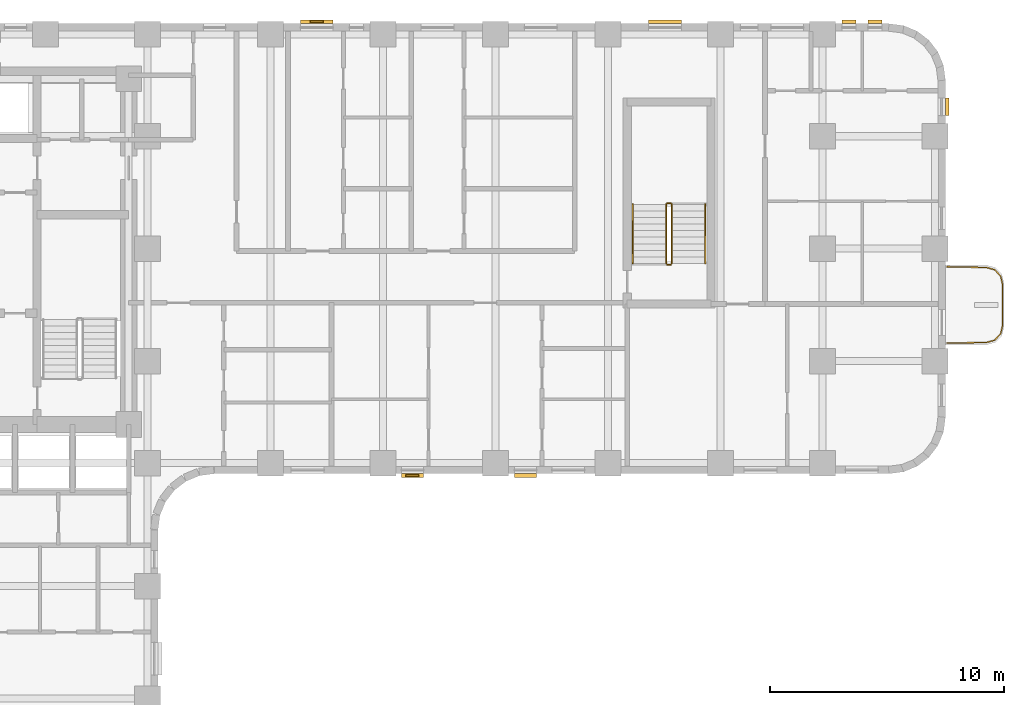
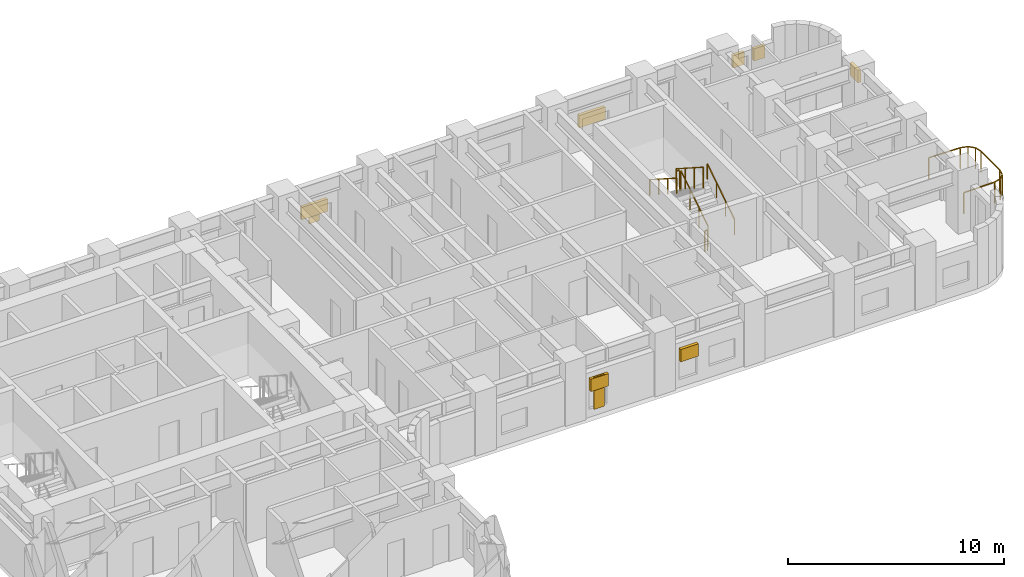
# One storey, part 10 of 10: 9 shading devices, 7 railings.
"""IFC4 building model written with IfcOpenShell, lengths in metres."""

from ifc_helpers import new_model, si_unit, direction, frame, origin, origin_2d, place, context, subcontext, project, spatial, rectangle, extrude, material, type_object, element, save


model = new_model("IFC4")

# Units and contexts
model_context = context("Model", 3, precision=1e-05, world=origin(), true_north=direction((0.0, 1.0)))
body_context = subcontext(model_context, "Body", "Model", "MODEL_VIEW")
ifc_project = project(units=[si_unit("LENGTHUNIT", "METRE"), si_unit("AREAUNIT", "SQUARE_METRE"), si_unit("VOLUMEUNIT", "CUBIC_METRE"), si_unit("PLANEANGLEUNIT", "RADIAN"), si_unit("MASSUNIT", "GRAM", prefix="KILO")], contexts=[model_context])

# Site, building, storey
site_placement = place(None, origin())
site = spatial("IfcSite", under=ifc_project, at=site_placement, CompositionType="ELEMENT")
building_placement = place(site_placement, origin())
building = spatial("IfcBuilding", under=site, at=building_placement, Name="Orvandelia Arch Residences", CompositionType="ELEMENT")
storey_placement = place(building_placement, frame((0.0, 0.0, 32.199951171875)))
storey = spatial("IfcBuildingStorey", under=building, at=storey_placement, Name="L07", CompositionType="ELEMENT", Elevation=32.199951171875)

# Railings
ifc_material_1 = material(Name="Marine-Grade Stainless Steel 316", Category="steel")
railing_type_1 = type_object("IfcRailingType", Name="GRD-BAL-1200", PredefinedType="BALUSTRADE", material=ifc_material_1)
railing_1_placement = place(storey_placement, frame((57.671875, 34.36962890625, 0.0)))
element("IfcRailing", 1, at=railing_1_placement, inside=storey, type_object=railing_type_1, Name="Safety Balustrade Guard GRD-L07-BAL-L07-E1-1", PredefinedType="BALUSTRADE", context=body_context, shape_type="SweptSolid", body=[
    extrude(rectangle(XDim=0.048095703125, YDim=0.048095703125, at=origin_2d()), frame((0.0, 0.0, 1.19580078125), z_axis=(0.999837384468, 0.018033430643, 0.0), x_axis=(-0.018033430643, 0.999837384468, 0.0)), (0.0, 0.0, 1.0), 1.6787109375),
    extrude(rectangle(XDim=0.048095703125, YDim=0.048095703125, at=origin_2d()), frame((1.678466796875, 0.0302734375, 1.19580078125), z_axis=(0.963441293861, 0.267919527627, 0.0), x_axis=(-0.267919527627, 0.963441293861, 0.0)), (0.0, 0.0, 1.0), 0.365478515625),
    extrude(rectangle(XDim=0.048095703125, YDim=0.048095703125, at=origin_2d()), frame((2.030517578125, 0.128173828125, 1.19580078125), z_axis=(0.688296224633, 0.725429739642, 0.0), x_axis=(-0.725429739642, 0.688296224633, 0.0)), (0.0, 0.0, 1.0), 0.3681640625),
    extrude(rectangle(XDim=0.048095703125, YDim=0.048095703125, at=origin_2d()), frame((2.283935546875, 0.395263671875, 1.19580078125), z_axis=(0.221225034864, 0.975222786828, 0.0), x_axis=(-0.975222786828, 0.221225034864, 0.0)), (0.0, 0.0, 1.0), 0.373046875),
    extrude(rectangle(XDim=0.048095703125, YDim=0.048095703125, at=origin_2d()), frame((2.366455078125, 0.759033203125, 1.19580078125), z_axis=(0.0, 1.0, 0.0), x_axis=(-1.0, 0.0, 0.0)), (0.0, 0.0, 1.0), 1.74267578125),
    extrude(rectangle(XDim=0.048095703125, YDim=0.048095703125, at=origin_2d()), frame((2.366455078125, 2.501708984375, 1.19580078125), z_axis=(-0.221225034864, 0.975222786828, 0.0), x_axis=(-0.975222786828, -0.221225034864, 0.0)), (0.0, 0.0, 1.0), 0.373046875),
    extrude(rectangle(XDim=0.048095703125, YDim=0.048095703125, at=origin_2d()), frame((2.283935546875, 2.865478515625, 1.19580078125), z_axis=(-0.688296224633, 0.725429739642, 0.0), x_axis=(-0.725429739642, -0.688296224633, 0.0)), (0.0, 0.0, 1.0), 0.3681640625),
    extrude(rectangle(XDim=0.048095703125, YDim=0.048095703125, at=origin_2d()), frame((2.030517578125, 3.132568359375, 1.19580078125), z_axis=(-0.963441293861, 0.267919527627, 0.0), x_axis=(-0.267919527627, -0.963441293861, 0.0)), (0.0, 0.0, 1.0), 0.365478515625),
    extrude(rectangle(XDim=0.048095703125, YDim=0.048095703125, at=origin_2d()), frame((1.678466796875, 3.23046875, 1.19580078125), z_axis=(-0.999837384468, 0.018033430643, 0.0), x_axis=(-0.018033430643, -0.999837384468, 0.0)), (0.0, 0.0, 1.0), 1.6787109375),
    extrude(rectangle(XDim=0.0419921875, YDim=0.0419921875, at=origin_2d()), origin(), (0.0, 0.0, 1.0), 1.171875),
    extrude(rectangle(XDim=0.0419921875, YDim=0.0419921875, at=origin_2d()), frame((1.678466796875, 0.0302734375, 0.0)), (0.0, 0.0, 1.0), 1.171875),
    extrude(rectangle(XDim=0.0419921875, YDim=0.0419921875, at=origin_2d()), frame((2.030517578125, 0.128173828125, 0.0)), (0.0, 0.0, 1.0), 1.171875),
    extrude(rectangle(XDim=0.0419921875, YDim=0.0419921875, at=origin_2d()), frame((2.283935546875, 0.395263671875, 0.0)), (0.0, 0.0, 1.0), 1.171875),
    extrude(rectangle(XDim=0.0419921875, YDim=0.0419921875, at=origin_2d()), frame((2.366455078125, 0.759033203125, 0.0)), (0.0, 0.0, 1.0), 1.171875),
    extrude(rectangle(XDim=0.0419921875, YDim=0.0419921875, at=origin_2d()), frame((2.366455078125, 2.501708984375, 0.0)), (0.0, 0.0, 1.0), 1.171875),
    extrude(rectangle(XDim=0.0419921875, YDim=0.0419921875, at=origin_2d()), frame((2.283935546875, 2.865478515625, 0.0)), (0.0, 0.0, 1.0), 1.171875),
    extrude(rectangle(XDim=0.0419921875, YDim=0.0419921875, at=origin_2d()), frame((2.030517578125, 3.132568359375, 0.0)), (0.0, 0.0, 1.0), 1.171875),
    extrude(rectangle(XDim=0.0419921875, YDim=0.0419921875, at=origin_2d()), frame((1.678466796875, 3.23046875, 0.0)), (0.0, 0.0, 1.0), 1.171875),
    extrude(rectangle(XDim=0.0419921875, YDim=0.0419921875, at=origin_2d()), frame((0.0, 3.2607421875, 0.0)), (0.0, 0.0, 1.0), 1.171875),
])
ifc_material_2 = material(Name="Brushed Stainless Steel 304", Category="steel")
railing_type_2 = type_object("IfcRailingType", Name="RL-STAIR-GD1120", PredefinedType="GUARDRAIL", material=ifc_material_2)
railing_2_placement = place(storey_placement, frame((45.929931640625, 37.77001953125, 0.179931640625)))
element("IfcRailing", 2, at=railing_2_placement, inside=storey, type_object=railing_type_2, Name="L07 ST-3 stair guard 1", PredefinedType="GUARDRAIL", context=body_context, shape_type="SweptSolid", body=[
    extrude(rectangle(XDim=0.048095703125, YDim=0.048095703125, at=origin_2d()), frame((0.0, 0.0, 1.17578125), z_axis=(0.0, 0.841162588446, 0.540782303519), x_axis=(-1.0, 0.0, 0.0)), (0.0, 0.0, 1.0), 2.995849609375),
    extrude(rectangle(XDim=0.0419921875, YDim=0.0419921875, at=origin_2d()), origin(), (0.0, 0.0, 1.0), 1.15185546875),
    extrude(rectangle(XDim=0.0419921875, YDim=0.0419921875, at=origin_2d()), frame((0.0, 0.840087890625, 0.5400390625)), (0.0, 0.0, 1.0), 1.15185546875),
    extrude(rectangle(XDim=0.0419921875, YDim=0.0419921875, at=origin_2d()), frame((0.0, 1.679931640625, 1.080078125)), (0.0, 0.0, 1.0), 1.15185546875),
    extrude(rectangle(XDim=0.0419921875, YDim=0.0419921875, at=origin_2d()), frame((0.0, 2.52001953125, 1.6201171875)), (0.0, 0.0, 1.0), 1.15185546875),
])
railing_3_placement = place(storey_placement, frame((45.8798828125, 40.340087890625, 1.800048828125)))
element("IfcRailing", 3, at=railing_3_placement, inside=storey, type_object=railing_type_2, Name="L07 ST-3 stair guard 2", PredefinedType="GUARDRAIL", context=body_context, shape_type="SweptSolid", body=[
    extrude(rectangle(XDim=0.048095703125, YDim=0.048095703125, at=origin_2d()), frame((0.0, 0.0, 1.17578125), z_axis=(-1.0, 0.0, 0.0), x_axis=(0.0, -1.0, 0.0)), (0.0, 0.0, 1.0), 0.14990234375),
    extrude(rectangle(XDim=0.0419921875, YDim=0.0419921875, at=origin_2d()), origin(), (0.0, 0.0, 1.0), 1.15185546875),
    extrude(rectangle(XDim=0.0419921875, YDim=0.0419921875, at=origin_2d()), frame((-0.14990234375, 0.0, 0.0)), (0.0, 0.0, 1.0), 1.15185546875),
])
railing_4_placement = place(storey_placement, frame((45.679931640625, 40.2900390625, 1.97998046875)))
element("IfcRailing", 4, at=railing_4_placement, inside=storey, type_object=railing_type_2, Name="L07 ST-3 stair guard 3", PredefinedType="GUARDRAIL", context=body_context, shape_type="SweptSolid", body=[
    extrude(rectangle(XDim=0.048095703125, YDim=0.048095703125, at=origin_2d()), frame((0.0, 0.0, 1.17578125), z_axis=(0.0, -0.841162588446, 0.540782303519), x_axis=(1.0, 0.0, 0.0)), (0.0, 0.0, 1.0), 2.995849609375),
    extrude(rectangle(XDim=0.0419921875, YDim=0.0419921875, at=origin_2d()), origin(), (0.0, 0.0, 1.0), 1.15185546875),
    extrude(rectangle(XDim=0.0419921875, YDim=0.0419921875, at=origin_2d()), frame((0.0, -0.840087890625, 0.5400390625)), (0.0, 0.0, 1.0), 1.15185546875),
    extrude(rectangle(XDim=0.0419921875, YDim=0.0419921875, at=origin_2d()), frame((0.0, -1.679931640625, 1.080078125)), (0.0, 0.0, 1.0), 1.15185546875),
    extrude(rectangle(XDim=0.0419921875, YDim=0.0419921875, at=origin_2d()), frame((0.0, -2.52001953125, 1.6201171875)), (0.0, 0.0, 1.0), 1.15185546875),
])
railing_5_placement = place(storey_placement, frame((45.8798828125, 37.719970703125, 0.0)))
element("IfcRailing", 5, at=railing_5_placement, inside=storey, type_object=railing_type_2, Name="L07 ST-3 stair guard 4", PredefinedType="GUARDRAIL", context=body_context, shape_type="SweptSolid", body=[
    extrude(rectangle(XDim=0.048095703125, YDim=0.048095703125, at=origin_2d()), frame((0.0, 0.0, 1.17578125), z_axis=(-1.0, 0.0, 0.0), x_axis=(0.0, -1.0, 0.0)), (0.0, 0.0, 1.0), 0.14990234375),
    extrude(rectangle(XDim=0.0419921875, YDim=0.0419921875, at=origin_2d()), origin(), (0.0, 0.0, 1.0), 1.15185546875),
    extrude(rectangle(XDim=0.0419921875, YDim=0.0419921875, at=origin_2d()), frame((-0.14990234375, 0.0, 0.0)), (0.0, 0.0, 1.0), 1.15185546875),
])
railing_type_3 = type_object("IfcRailingType", Name="RL-STAIR-HR920", PredefinedType="HANDRAIL", material=ifc_material_2)
railing_6_placement = place(storey_placement, frame((47.35009765625, 37.77001953125, 0.360107421875)))
element("IfcRailing", 6, at=railing_6_placement, inside=storey, type_object=railing_type_3, Name="L07 ST-3 stair handrail 1", PredefinedType="HANDRAIL", context=body_context, shape_type="SweptSolid", body=[
    extrude(rectangle(XDim=0.048095703125, YDim=0.048095703125, at=origin_2d()), frame((0.0, 0.0, 0.8759765625), z_axis=(0.0, 0.841199657755, 0.540724639528), x_axis=(-1.0, 0.0, 0.0)), (0.0, 0.0, 1.0), 2.995849609375),
    extrude(rectangle(XDim=0.0419921875, YDim=0.0419921875, at=origin_2d()), origin(), (0.0, 0.0, 1.0), 0.851806640625),
    extrude(rectangle(XDim=0.0419921875, YDim=0.0419921875, at=origin_2d()), frame((0.0, 0.840087890625, 0.5400390625)), (0.0, 0.0, 1.0), 0.851806640625),
    extrude(rectangle(XDim=0.0419921875, YDim=0.0419921875, at=origin_2d()), frame((0.0, 1.679931640625, 1.079833984375)), (0.0, 0.0, 1.0), 0.851806640625),
    extrude(rectangle(XDim=0.0419921875, YDim=0.0419921875, at=origin_2d()), frame((0.0, 2.52001953125, 1.619873046875)), (0.0, 0.0, 1.0), 0.851806640625),
])
railing_7_placement = place(storey_placement, frame((44.260009765625, 40.2900390625, 2.16015625)))
element("IfcRailing", 7, at=railing_7_placement, inside=storey, type_object=railing_type_3, Name="L07 ST-3 stair handrail 2", PredefinedType="HANDRAIL", context=body_context, shape_type="SweptSolid", body=[
    extrude(rectangle(XDim=0.048095703125, YDim=0.048095703125, at=origin_2d()), frame((0.0, 0.0, 0.8759765625), z_axis=(0.0, -0.841199657755, 0.540724639528), x_axis=(1.0, 0.0, 0.0)), (0.0, 0.0, 1.0), 2.995849609375),
    extrude(rectangle(XDim=0.0419921875, YDim=0.0419921875, at=origin_2d()), origin(), (0.0, 0.0, 1.0), 0.851806640625),
    extrude(rectangle(XDim=0.0419921875, YDim=0.0419921875, at=origin_2d()), frame((0.0, -0.840087890625, 0.5400390625)), (0.0, 0.0, 1.0), 0.851806640625),
    extrude(rectangle(XDim=0.0419921875, YDim=0.0419921875, at=origin_2d()), frame((0.0, -1.679931640625, 1.079833984375)), (0.0, 0.0, 1.0), 0.851806640625),
    extrude(rectangle(XDim=0.0419921875, YDim=0.0419921875, at=origin_2d()), frame((0.0, -2.52001953125, 1.619873046875)), (0.0, 0.0, 1.0), 0.851806640625),
])

# Shading devices
ifc_material_3 = material(Name="Anodised Champagne-Bronze Extruded Aluminium", Category="aluminium")
shading_device_type_1 = type_object("IfcShadingDeviceType", Name="SHD-JALOUSIE-SCREEN", PredefinedType="JALOUSIE", material=ifc_material_3)
shading_device_1_placement = place(storey_placement, frame((54.593994140625, 48.080078125, 1.55029296875), z_axis=(0.0, 0.0, 1.0), x_axis=(1.0, 0.0, 0.0)))
element("IfcShadingDevice", 8, at=shading_device_1_placement, inside=storey, type_object=shading_device_type_1, Name="Bronze Jalousie Sun-Shade L07-001", PredefinedType="JALOUSIE", context=body_context, shape_type="SweptSolid", body=[
    extrude(rectangle(XDim=0.60009765625, YDim=0.159912109375, at=origin_2d()), origin(), (0.0, 0.0, 1.0), 0.699951171875),
])
for number, where, z_axis, x_axis, name in (
    (9, (45.635986328125, 48.080078125, 1.05029296875), (0.0, 0.0, 1.0), (1.0, 0.0, 0.0), "Bronze Jalousie Sun-Shade L07-002"),
    (10, (30.77001953125, 48.080078125, 1.05029296875), (0.0, 0.0, 1.0), (1.0, 0.0, 0.0), "Bronze Jalousie Sun-Shade L07-003"),
):
    element("IfcShadingDevice", number, at=place(storey_placement, frame(where, z_axis=z_axis, x_axis=x_axis)), inside=storey, type_object=shading_device_type_1, Name=name, PredefinedType="JALOUSIE", context=body_context, shape_type="SweptSolid", body=[
        extrude(rectangle(XDim=1.39990234375, YDim=0.159912109375, at=origin_2d()), origin(), (0.0, 0.0, 1.0), 0.699951171875),
    ])
shading_device_2_placement = place(storey_placement, frame((53.48388671875, 48.080078125, 1.55029296875), z_axis=(0.0, 0.0, 1.0), x_axis=(1.0, 0.0, 0.0)))
element("IfcShadingDevice", 11, at=shading_device_2_placement, inside=storey, type_object=shading_device_type_1, Name="Bronze Jalousie Sun-Shade L07-004", PredefinedType="JALOUSIE", context=body_context, shape_type="SweptSolid", body=[
    extrude(rectangle(XDim=0.60009765625, YDim=0.159912109375, at=origin_2d()), origin(), (0.0, 0.0, 1.0), 0.699951171875),
])
shading_device_3_placement = place(storey_placement, frame((57.679931640625, 44.45458984375, 1.55029296875), z_axis=(0.0, 0.0, 1.0), x_axis=(0.0, -1.0, 0.0)))
element("IfcShadingDevice", 12, at=shading_device_3_placement, inside=storey, type_object=shading_device_type_1, Name="Bronze Jalousie Sun-Shade L07-005", PredefinedType="JALOUSIE", context=body_context, shape_type="SweptSolid", body=[
    extrude(rectangle(XDim=0.75, YDim=0.159912109375, at=origin_2d()), origin(), (0.0, 0.0, 1.0), 0.699951171875),
])
for number, where, z_axis, x_axis, name in (
    (13, (34.85546875, 28.719970703125, 1.55029296875), (0.0, 0.0, 1.0), (-1.0, 0.0, 0.0), "Bronze Jalousie Sun-Shade L07-006"),
    (14, (39.678955078125, 28.719970703125, 1.55029296875), (0.0, 0.0, 1.0), (-1.0, 0.0, 0.0), "Bronze Jalousie Sun-Shade L07-007"),
):
    element("IfcShadingDevice", number, at=place(storey_placement, frame(where, z_axis=z_axis, x_axis=x_axis)), inside=storey, type_object=shading_device_type_1, Name=name, PredefinedType="JALOUSIE", context=body_context, shape_type="SweptSolid", body=[
        extrude(rectangle(XDim=0.949951171875, YDim=0.159912109375, at=origin_2d()), origin(), (0.0, 0.0, 1.0), 0.699951171875),
    ])
ifc_material_4 = material(Name="Marine-Grade Perforated Aluminium Storm Shutter", Category="aluminium")
shading_device_type_2 = type_object("IfcShadingDeviceType", Name="SHD-STORM-SHUTTER", PredefinedType="SHUTTER", material=ifc_material_4)
shading_device_4_placement = place(storey_placement, frame((30.77001953125, 48.080078125, 0.64990234375), z_axis=(0.0, 0.0, 1.0), x_axis=(1.0, 0.0, 0.0)))
element("IfcShadingDevice", 15, at=shading_device_4_placement, inside=storey, type_object=shading_device_type_2, Name="Operable Typhoon Storm Shutter L07-003", PredefinedType="SHUTTER", context=body_context, shape_type="SweptSolid", body=[
    extrude(rectangle(XDim=0.550048828125, YDim=0.080078125, at=origin_2d()), origin(), (0.0, 0.0, 1.0), 1.10009765625),
])
shading_device_5_placement = place(storey_placement, frame((34.85546875, 28.719970703125, 0.4501953125), z_axis=(0.0, 0.0, 1.0), x_axis=(-1.0, 0.0, 0.0)))
element("IfcShadingDevice", 16, at=shading_device_5_placement, inside=storey, type_object=shading_device_type_2, Name="Operable Typhoon Storm Shutter L07-006", PredefinedType="SHUTTER", context=body_context, shape_type="SweptSolid", body=[
    extrude(rectangle(XDim=0.550048828125, YDim=0.080078125, at=origin_2d()), origin(), (0.0, 0.0, 1.0), 1.800048828125),
])

save(model, "model.ifc")
